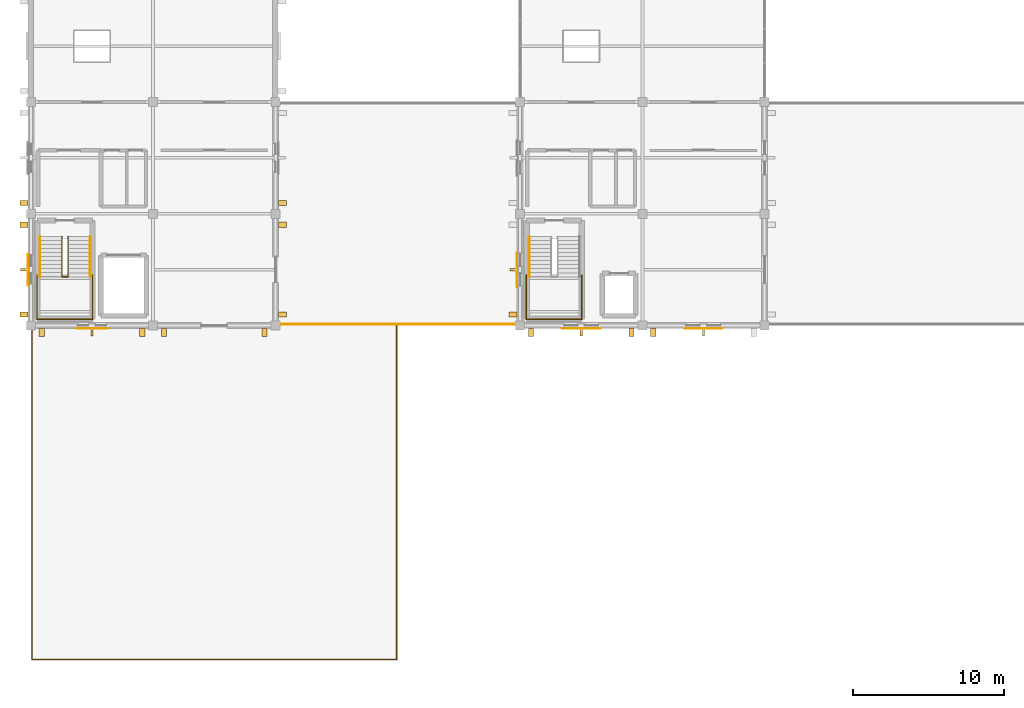
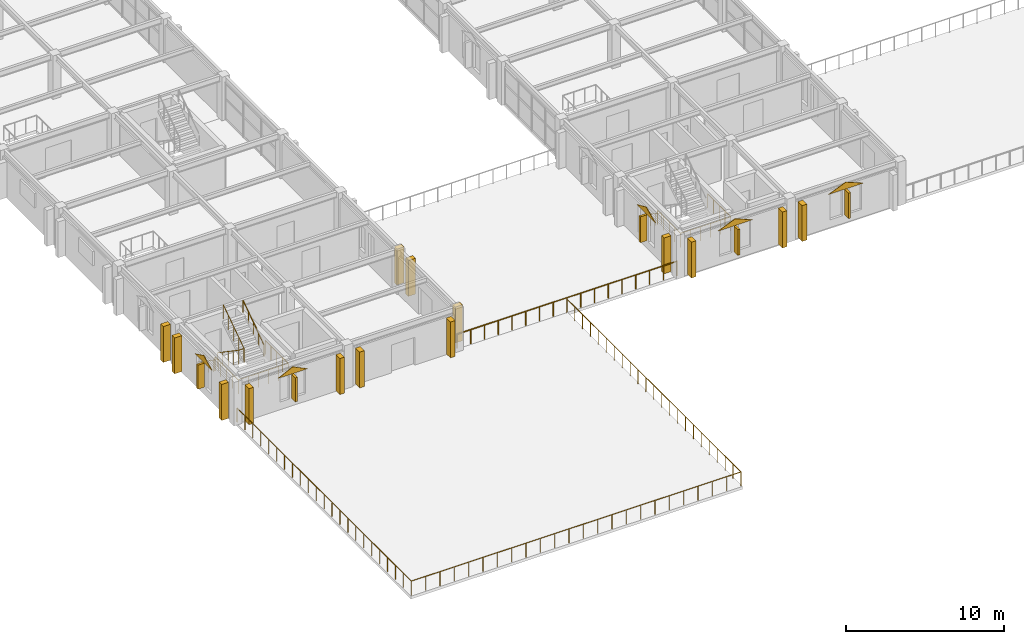
# One storey, part 111 of 121: 19 shading devices, 8 railings, 5 coverings.
"""IFC4 building model written with IfcOpenShell, lengths in metres."""

import ifcopenshell
import ifcopenshell.guid

model = None  # the IFC model being written
_history = None  # IfcOwnerHistory: only IFC2X3 demands one
_inside = {}  # id of a spatial element -> (the spatial element, [elements in it])
_under = {}  # id of a project, library or spatial element -> (it, [spatial elements below it])
_declared = {}  # id of a project -> (the project, [libraries it declares])
_typed = {}  # id of a type object -> (the type object, [elements of that type])
_made_of = {}  # id of a material, layer set ... -> (it, [elements and type objects made of it])


def new_model(schema):
    """Start an empty IFC model of exactly this schema.

    Asked for "IFC4X3", IfcOpenShell would pick the latest addendum, in which some entities
    have other attributes; the version numbers below select the first issue.
    IFC2X3 requires an IfcOwnerHistory on every rooted entity: one is made here for all.
    """
    global model, _history
    if schema == "IFC4X3":
        model = ifcopenshell.file(schema_version=(4, 3, 0, 0))
    else:
        model = ifcopenshell.file(schema=schema)
    _inside.clear()
    _under.clear()
    _declared.clear()
    _typed.clear()
    _made_of.clear()
    _history = None
    if model.schema == "IFC2X3":
        org = make("IfcOrganization", Name="unknown")
        user = make(
            "IfcPersonAndOrganization",
            ThePerson=make("IfcPerson", FamilyName="unknown"),
            TheOrganization=org,
        )
        app = make(
            "IfcApplication",
            ApplicationDeveloper=org,
            Version="unknown",
            ApplicationFullName="unknown",
            ApplicationIdentifier="unknown",
        )
        _history = make(
            "IfcOwnerHistory",
            OwningUser=user,
            OwningApplication=app,
            ChangeAction="ADDED",
            CreationDate=0,
        )
    return model


def make(cls, **values):
    """One entity of the class cls with the attributes given. An attribute that is None is left unset."""
    return model.create_entity(
        cls, **{name: value for name, value in values.items() if value is not None}
    )


def rooted(cls, **values):
    """An entity with a GlobalId (a new one), such as an element, a storey or a relation."""
    return make(cls, GlobalId=ifcopenshell.guid.new(), OwnerHistory=_history, **values)


def si_unit(unit_type, name, prefix=None):
    """IfcSIUnit, for example si_unit("LENGTHUNIT", "METRE", prefix="MILLI")."""
    return make("IfcSIUnit", UnitType=unit_type, Prefix=prefix, Name=name)


def assignment(units):
    """IfcUnitAssignment: the units of a project."""
    return None if units is None else make("IfcUnitAssignment", Units=units)


def point(xyz):
    """IfcCartesianPoint."""
    return None if xyz is None else make("IfcCartesianPoint", Coordinates=xyz)


def direction(xyz):
    """IfcDirection."""
    return None if xyz is None else make("IfcDirection", DirectionRatios=xyz)


def frame(location, z_axis=None, x_axis=None):
    """IfcAxis2Placement3D, a coordinate frame: its origin and axes. An axis left out is left unset."""
    return make(
        "IfcAxis2Placement3D",
        Location=point(location),
        Axis=direction(z_axis),
        RefDirection=direction(x_axis),
    )


def frame_2d(location, x_axis=None):
    """IfcAxis2Placement2D, a coordinate frame in the plane: its origin and x axis."""
    return make(
        "IfcAxis2Placement2D", Location=point(location), RefDirection=direction(x_axis)
    )


def origin():
    """The frame at (0, 0, 0) with its axes left unset."""
    return frame((0.0, 0.0, 0.0))


def origin_2d():
    """The frame at (0, 0) in the plane with its x axis left unset."""
    return frame_2d((0.0, 0.0))


def place(relative_to, where):
    """IfcLocalPlacement: puts the frame where relative to a parent placement (None: the world)."""
    return make(
        "IfcLocalPlacement", PlacementRelTo=relative_to, RelativePlacement=where
    )


def context(
    kind, dimensions, precision=None, world=None, true_north=None, identifier=None
):
    """IfcGeometricRepresentationContext, for example the 3D "Model" context."""
    return make(
        "IfcGeometricRepresentationContext",
        ContextIdentifier=identifier,
        ContextType=kind,
        CoordinateSpaceDimension=dimensions,
        Precision=precision,
        WorldCoordinateSystem=world,
        TrueNorth=true_north,
    )


def subcontext(parent, identifier, kind, view, scale=None):
    """IfcGeometricRepresentationSubContext, for example "Body" below "Model"."""
    return make(
        "IfcGeometricRepresentationSubContext",
        ContextIdentifier=identifier,
        ContextType=kind,
        ParentContext=parent,
        TargetScale=scale,
        TargetView=view,
    )


def project(units=None, contexts=None):
    """IfcProject with its units and contexts."""
    return rooted(
        "IfcProject",
        Name="project",
        RepresentationContexts=contexts,
        UnitsInContext=assignment(units),
    )


def spatial(cls, under=None, at=None, **own):
    """A site, building, storey or space (cls), placed at a placement, below another one or the project."""
    s = rooted(cls, ObjectPlacement=at, **own)
    if under is not None:
        _under.setdefault(under.id(), (under, []))[1].append(s)
    return s


def polyline(points):
    """IfcPolyline through the points."""
    return make("IfcPolyline", Points=[point(p) for p in points])


def profile(cls, at=None, kind="AREA", **sizes):
    """A parametric profile (cls). Its sizes go by their IFC names, for example OverallWidth=200.0."""
    return make(cls, ProfileType=kind, Position=at, **sizes)


def rectangle(**sizes):
    """IfcRectangleProfileDef."""
    return profile("IfcRectangleProfileDef", **sizes)


def circle(**sizes):
    """IfcCircleProfileDef."""
    return profile("IfcCircleProfileDef", **sizes)


def outline(outer, holes=None, kind="AREA"):
    """IfcArbitraryClosedProfileDef: a profile drawn as a closed curve; with holes, ...WithVoids."""
    if holes is None:
        return make("IfcArbitraryClosedProfileDef", ProfileType=kind, OuterCurve=outer)
    return make(
        "IfcArbitraryProfileDefWithVoids",
        ProfileType=kind,
        OuterCurve=outer,
        InnerCurves=holes,
    )


def extrude(swept, where, along, depth):
    """IfcExtrudedAreaSolid: the profile swept, set in the frame where, extruded along a direction by depth."""
    return make(
        "IfcExtrudedAreaSolid",
        SweptArea=swept,
        Position=where,
        ExtrudedDirection=direction(along),
        Depth=depth,
    )


def shape(context_of_items, identifier, shape_type, items):
    """IfcShapeRepresentation: the items that make up one representation, for example the "Body"."""
    return make(
        "IfcShapeRepresentation",
        ContextOfItems=context_of_items,
        RepresentationIdentifier=identifier,
        RepresentationType=shape_type,
        Items=items,
    )


def material(Name=None, Category=None):
    """IfcMaterial."""
    return make("IfcMaterial", Name=Name, Category=Category)


def layer(
    of_material, thickness, ventilated=None, Name=None, Category=None, Priority=None
):
    """IfcMaterialLayer: one layer of a wall or slab, of a material (None: an air gap)."""
    return make(
        "IfcMaterialLayer",
        Material=of_material,
        LayerThickness=thickness,
        IsVentilated=ventilated,
        Name=Name,
        Category=Category,
        Priority=Priority,
    )


def layer_set(layers, Name=None):
    """IfcMaterialLayerSet."""
    return make("IfcMaterialLayerSet", MaterialLayers=layers, LayerSetName=Name)


def made_of(thing, what):
    """Note that an element or type object is made of a material, layer set ...; save() writes the relation."""
    if what is not None:
        _made_of.setdefault(what.id(), (what, []))[1].append(thing)
    return thing


def type_object(cls, material=None, **own):
    """A type object (cls), such as IfcWallType, which elements share."""
    return made_of(rooted(cls, **own), material)


def element(
    cls,
    number,
    at=None,
    inside=None,
    cuts=None,
    type_object=None,
    material=None,
    context=None,
    identifier="Body",
    shape_type=None,
    held_by="IfcProductDefinitionShape",
    body=None,
    shapes=None,
    **own,
):
    """One element of the class cls, such as IfcWall. Its Tag is "e" and its number.

    at: its placement. inside: the storey or other place that contains it. cuts: it is an
    opening in that element (IfcRelVoidsElement). A single representation is given by context,
    identifier, shape_type and body (its items); several are given by shapes. held_by: the class
    of the entity that holds the representations. save() writes the other relations.
    """
    e = rooted(cls, Tag="e%d" % number, ObjectPlacement=at, **own)
    if body is not None:
        shapes = [shape(context, identifier, shape_type, body)]
    if shapes is not None:
        e.Representation = make(held_by, Representations=shapes)
    if inside is not None:
        _inside.setdefault(inside.id(), (inside, []))[1].append(e)
    if cuts is not None:
        rooted(
            "IfcRelVoidsElement", RelatingBuildingElement=cuts, RelatedOpeningElement=e
        )
    if type_object is not None:
        _typed.setdefault(type_object.id(), (type_object, []))[1].append(e)
    return made_of(e, material)


def aggregate(whole, parts):
    """IfcRelAggregates: a whole, such as a stair, and the parts it consists of."""
    return rooted("IfcRelAggregates", RelatingObject=whole, RelatedObjects=parts)


def save(model, path):
    """Write the relations noted so far, then the file.

    IfcRelAggregates (storeys below a building ...), IfcRelContainedInSpatialStructure (elements
    in a storey), IfcRelDefinesByType, IfcRelAssociatesMaterial and IfcRelDeclares: one each for
    every whole, place, type object, material and project.
    """
    for whole, parts in _under.values():
        aggregate(whole, parts)
    for where, things in _inside.values():
        rooted(
            "IfcRelContainedInSpatialStructure",
            RelatedElements=things,
            RelatingStructure=where,
        )
    for kind, things in _typed.values():
        rooted("IfcRelDefinesByType", RelatedObjects=things, RelatingType=kind)
    for what, things in _made_of.values():
        rooted("IfcRelAssociatesMaterial", RelatedObjects=things, RelatingMaterial=what)
    for by, libraries in _declared.values():
        rooted("IfcRelDeclares", RelatingContext=by, RelatedDefinitions=libraries)
    model.write(path)


model = new_model("IFC4")

# Units and contexts
model_context = context("Model", 3, precision=1e-05, world=origin(), true_north=direction((0.0, 1.0)))
body_context = subcontext(model_context, "Body", "Model", "MODEL_VIEW")
ifc_project = project(units=[si_unit("LENGTHUNIT", "METRE"), si_unit("AREAUNIT", "SQUARE_METRE"), si_unit("VOLUMEUNIT", "CUBIC_METRE"), si_unit("PLANEANGLEUNIT", "RADIAN"), si_unit("MASSUNIT", "GRAM", prefix="KILO")], contexts=[model_context])

# Site, building, storey
site_placement = place(None, origin())
site = spatial("IfcSite", under=ifc_project, at=site_placement, CompositionType="ELEMENT")
building_placement = place(site_placement, origin())
building = spatial("IfcBuilding", under=site, at=building_placement, Name="Cimatlan Art Gallery", CompositionType="ELEMENT")
storey_placement = place(building_placement, frame((0.0, 0.0, 10.199951171875)))
storey = spatial("IfcBuildingStorey", under=building, at=storey_placement, Name="L02", CompositionType="ELEMENT", Elevation=10.199951171875)

# Coverings
ifc_material_1 = material(Name="Queretaro cantera limestone ashlar hood-mould", Category="masonry")
ifc_layer = layer(ifc_material_1, 0.0419921875)
ifc_layer_set = layer_set([ifc_layer], Name="Queretaro cantera limestone ashlar hood-mould")
covering_type = type_object("IfcCoveringType", Name="COV-CLAD-CANTERA-42", PredefinedType="CLADDING", material=ifc_layer_set)
covering_1_placement = place(storey_placement, frame((7.1298828125, 23.721923828125, 2.489990234375), z_axis=(0.0, 1.0, 0.0), x_axis=(-1.0, 0.0, 0.0)))
element("IfcCovering", 1, at=covering_1_placement, inside=storey, type_object=covering_type, Name="CLD-038", PredefinedType="CLADDING", context=body_context, shape_type="SweptSolid", body=[
    extrude(outline(polyline([(0.0, 0.0), (2.159912109375, 0.0), (1.079833984375, 0.52001953125), (0.0, 0.0)])), origin(), (0.0, 0.0, -1.0), 0.0419921875),
])
covering_2_placement = place(storey_placement, frame((1.822021484375, 26.52001953125, 2.489990234375), z_axis=(1.0, 0.0, 0.0), x_axis=(0.0, 1.0, 0.0)))
element("IfcCovering", 2, at=covering_2_placement, inside=storey, type_object=covering_type, Name="CLD-039", PredefinedType="CLADDING", context=body_context, shape_type="SweptSolid", body=[
    extrude(outline(polyline([(0.0, 0.0), (2.159912109375, 0.0), (1.080078125, 0.52001953125), (0.0, 0.0)])), origin(), (0.0, 0.0, -1.0), 0.0419921875),
])
covering_3_placement = place(storey_placement, frame((39.72998046875, 23.721923828125, 2.610107421875), z_axis=(0.0, 1.0, 0.0), x_axis=(-1.0, 0.0, 0.0)))
element("IfcCovering", 3, at=covering_3_placement, inside=storey, type_object=covering_type, Name="CLD-046", PredefinedType="CLADDING", context=body_context, shape_type="SweptSolid", body=[
    extrude(outline(polyline([(0.0, 0.0), (2.56005859375, 0.0), (1.280029296875, 0.52001953125), (0.0, 0.0)])), origin(), (0.0, 0.0, -1.0), 0.0419921875),
])
covering_4_placement = place(storey_placement, frame((34.221923828125, 26.39990234375, 2.630126953125), z_axis=(1.0, 0.0, 0.0), x_axis=(0.0, 1.0, 0.0)))
element("IfcCovering", 4, at=covering_4_placement, inside=storey, type_object=covering_type, Name="CLD-047", PredefinedType="CLADDING", context=body_context, shape_type="SweptSolid", body=[
    extrude(outline(polyline([(0.0, 0.0), (2.400146484375, 0.0), (1.2001953125, 0.52001953125), (0.0, 0.0)])), origin(), (0.0, 0.0, -1.0), 0.0419921875),
])
covering_5_placement = place(storey_placement, frame((47.830078125, 23.721923828125, 2.610107421875), z_axis=(0.0, 1.0, 0.0), x_axis=(-1.0, 0.0, 0.0)))
element("IfcCovering", 5, at=covering_5_placement, inside=storey, type_object=covering_type, Name="CLD-052", PredefinedType="CLADDING", context=body_context, shape_type="SweptSolid", body=[
    extrude(outline(polyline([(0.0, 0.0), (2.56005859375, 0.0), (1.280029296875, 0.52001953125), (0.0, 0.0)])), origin(), (0.0, 0.0, -1.0), 0.0419921875),
])

# Railings
ifc_material_2 = material(Name="Anodised bronze and laminated glass balustrade", Category="glass")
railing_type_1 = type_object("IfcRailingType", Name="RL-BAL-EXT-1100", PredefinedType="BALUSTRADE", material=ifc_material_2)
railing_1_placement = place(storey_placement, frame((18.239990234375, 23.97998046875, 0.0)))
element("IfcRailing", 6, at=railing_1_placement, inside=storey, type_object=railing_type_1, Name="GR-TER-06", PredefinedType="BALUSTRADE", context=body_context, shape_type="SweptSolid", body=[
    extrude(circle(Radius=0.02587890625, at=origin_2d()), frame((0.0, 0.0, 1.09423828125), z_axis=(1.0, 0.0, 0.0), x_axis=(0.0, 1.0, 0.0)), (0.0, 0.0, 1.0), 16.1201171875),
    extrude(circle(Radius=0.02099609375, at=origin_2d()), origin(), (0.0, 0.0, 1.0), 1.068115234375),
    extrude(circle(Radius=0.02099609375, at=origin_2d()), frame((1.007568359375, 0.0, 0.0)), (0.0, 0.0, 1.0), 1.068115234375),
    extrude(circle(Radius=0.02099609375, at=origin_2d()), frame((2.01513671875, 0.0, 0.0)), (0.0, 0.0, 1.0), 1.068115234375),
    extrude(circle(Radius=0.02099609375, at=origin_2d()), frame((3.0224609375, 0.0, 0.0)), (0.0, 0.0, 1.0), 1.068115234375),
    extrude(circle(Radius=0.02099609375, at=origin_2d()), frame((4.030029296875, 0.0, 0.0)), (0.0, 0.0, 1.0), 1.068115234375),
    extrude(circle(Radius=0.02099609375, at=origin_2d()), frame((5.03759765625, 0.0, 0.0)), (0.0, 0.0, 1.0), 1.068115234375),
    extrude(circle(Radius=0.02099609375, at=origin_2d()), frame((6.044921875, 0.0, 0.0)), (0.0, 0.0, 1.0), 1.068115234375),
    extrude(circle(Radius=0.02099609375, at=origin_2d()), frame((7.052490234375, 0.0, 0.0)), (0.0, 0.0, 1.0), 1.068115234375),
    extrude(circle(Radius=0.02099609375, at=origin_2d()), frame((8.06005859375, 0.0, 0.0)), (0.0, 0.0, 1.0), 1.068115234375),
    extrude(circle(Radius=0.02099609375, at=origin_2d()), frame((9.067626953125, 0.0, 0.0)), (0.0, 0.0, 1.0), 1.068115234375),
    extrude(circle(Radius=0.02099609375, at=origin_2d()), frame((10.0751953125, 0.0, 0.0)), (0.0, 0.0, 1.0), 1.068115234375),
    extrude(circle(Radius=0.02099609375, at=origin_2d()), frame((11.08251953125, 0.0, 0.0)), (0.0, 0.0, 1.0), 1.068115234375),
    extrude(circle(Radius=0.02099609375, at=origin_2d()), frame((12.090087890625, 0.0, 0.0)), (0.0, 0.0, 1.0), 1.068115234375),
    extrude(circle(Radius=0.02099609375, at=origin_2d()), frame((13.09765625, 0.0, 0.0)), (0.0, 0.0, 1.0), 1.068115234375),
    extrude(circle(Radius=0.02099609375, at=origin_2d()), frame((14.10498046875, 0.0, 0.0)), (0.0, 0.0, 1.0), 1.068115234375),
    extrude(circle(Radius=0.02099609375, at=origin_2d()), frame((15.112548828125, 0.0, 0.0)), (0.0, 0.0, 1.0), 1.068115234375),
    extrude(circle(Radius=0.02099609375, at=origin_2d()), frame((16.1201171875, 0.0, 0.0)), (0.0, 0.0, 1.0), 1.068115234375),
])
railing_2_placement = place(storey_placement, frame((2.080078125, 23.8798828125, 0.0)))
element("IfcRailing", 7, at=railing_2_placement, inside=storey, type_object=railing_type_1, Name="GR-TER-14", PredefinedType="BALUSTRADE", context=body_context, shape_type="SweptSolid", body=[
    extrude(circle(Radius=0.02587890625, at=origin_2d()), frame((0.0, 0.0, 1.09423828125), z_axis=(0.0, -1.0, 0.0), x_axis=(1.0, 0.0, 0.0)), (0.0, 0.0, 1.0), 22.099853515625),
    extrude(circle(Radius=0.02587890625, at=origin_2d()), frame((0.0, -22.099853515625, 1.09423828125), z_axis=(1.0, 0.0, 0.0), x_axis=(0.0, 1.0, 0.0)), (0.0, 0.0, 1.0), 24.139892578125),
    extrude(circle(Radius=0.02587890625, at=origin_2d()), frame((24.139892578125, -22.099853515625, 1.09423828125), z_axis=(0.0, 1.0, 0.0), x_axis=(-1.0, 0.0, 0.0)), (0.0, 0.0, 1.0), 22.099853515625),
    extrude(circle(Radius=0.02099609375, at=origin_2d()), origin(), (0.0, 0.0, 1.0), 1.068115234375),
    extrude(circle(Radius=0.02099609375, at=origin_2d()), frame((0.0, -1.004638671875, 0.0)), (0.0, 0.0, 1.0), 1.068115234375),
    extrude(circle(Radius=0.02099609375, at=origin_2d()), frame((0.0, -2.009033203125, 0.0)), (0.0, 0.0, 1.0), 1.068115234375),
    extrude(circle(Radius=0.02099609375, at=origin_2d()), frame((0.0, -3.013671875, 0.0)), (0.0, 0.0, 1.0), 1.068115234375),
    extrude(circle(Radius=0.02099609375, at=origin_2d()), frame((0.0, -4.01806640625, 0.0)), (0.0, 0.0, 1.0), 1.068115234375),
    extrude(circle(Radius=0.02099609375, at=origin_2d()), frame((0.0, -5.022705078125, 0.0)), (0.0, 0.0, 1.0), 1.068115234375),
    extrude(circle(Radius=0.02099609375, at=origin_2d()), frame((0.0, -6.02734375, 0.0)), (0.0, 0.0, 1.0), 1.068115234375),
    extrude(circle(Radius=0.02099609375, at=origin_2d()), frame((0.0, -7.03173828125, 0.0)), (0.0, 0.0, 1.0), 1.068115234375),
    extrude(circle(Radius=0.02099609375, at=origin_2d()), frame((0.0, -8.036376953125, 0.0)), (0.0, 0.0, 1.0), 1.068115234375),
    extrude(circle(Radius=0.02099609375, at=origin_2d()), frame((0.0, -9.040771484375, 0.0)), (0.0, 0.0, 1.0), 1.068115234375),
    extrude(circle(Radius=0.02099609375, at=origin_2d()), frame((0.0, -10.04541015625, 0.0)), (0.0, 0.0, 1.0), 1.068115234375),
    extrude(circle(Radius=0.02099609375, at=origin_2d()), frame((0.0, -11.0498046875, 0.0)), (0.0, 0.0, 1.0), 1.068115234375),
    extrude(circle(Radius=0.02099609375, at=origin_2d()), frame((0.0, -12.054443359375, 0.0)), (0.0, 0.0, 1.0), 1.068115234375),
    extrude(circle(Radius=0.02099609375, at=origin_2d()), frame((0.0, -13.05908203125, 0.0)), (0.0, 0.0, 1.0), 1.068115234375),
    extrude(circle(Radius=0.02099609375, at=origin_2d()), frame((0.0, -14.0634765625, 0.0)), (0.0, 0.0, 1.0), 1.068115234375),
    extrude(circle(Radius=0.02099609375, at=origin_2d()), frame((0.0, -15.068115234375, 0.0)), (0.0, 0.0, 1.0), 1.068115234375),
    extrude(circle(Radius=0.02099609375, at=origin_2d()), frame((0.0, -16.072509765625, 0.0)), (0.0, 0.0, 1.0), 1.068115234375),
    extrude(circle(Radius=0.02099609375, at=origin_2d()), frame((0.0, -17.0771484375, 0.0)), (0.0, 0.0, 1.0), 1.068115234375),
    extrude(circle(Radius=0.02099609375, at=origin_2d()), frame((0.0, -18.081787109375, 0.0)), (0.0, 0.0, 1.0), 1.068115234375),
    extrude(circle(Radius=0.02099609375, at=origin_2d()), frame((0.0, -19.086181640625, 0.0)), (0.0, 0.0, 1.0), 1.068115234375),
    extrude(circle(Radius=0.02099609375, at=origin_2d()), frame((0.0, -20.0908203125, 0.0)), (0.0, 0.0, 1.0), 1.068115234375),
    extrude(circle(Radius=0.02099609375, at=origin_2d()), frame((0.0, -21.09521484375, 0.0)), (0.0, 0.0, 1.0), 1.068115234375),
    extrude(circle(Radius=0.02099609375, at=origin_2d()), frame((0.0, -22.099853515625, 0.0)), (0.0, 0.0, 1.0), 1.068115234375),
    extrude(circle(Radius=0.02099609375, at=origin_2d()), frame((1.049560546875, -22.099853515625, 0.0)), (0.0, 0.0, 1.0), 1.068115234375),
    extrude(circle(Radius=0.02099609375, at=origin_2d()), frame((2.09912109375, -22.099853515625, 0.0)), (0.0, 0.0, 1.0), 1.068115234375),
    extrude(circle(Radius=0.02099609375, at=origin_2d()), frame((3.148681640625, -22.099853515625, 0.0)), (0.0, 0.0, 1.0), 1.068115234375),
    extrude(circle(Radius=0.02099609375, at=origin_2d()), frame((4.1982421875, -22.099853515625, 0.0)), (0.0, 0.0, 1.0), 1.068115234375),
    extrude(circle(Radius=0.02099609375, at=origin_2d()), frame((5.247802734375, -22.099853515625, 0.0)), (0.0, 0.0, 1.0), 1.068115234375),
    extrude(circle(Radius=0.02099609375, at=origin_2d()), frame((6.29736328125, -22.099853515625, 0.0)), (0.0, 0.0, 1.0), 1.068115234375),
    extrude(circle(Radius=0.02099609375, at=origin_2d()), frame((7.346923828125, -22.099853515625, 0.0)), (0.0, 0.0, 1.0), 1.068115234375),
    extrude(circle(Radius=0.02099609375, at=origin_2d()), frame((8.396484375, -22.099853515625, 0.0)), (0.0, 0.0, 1.0), 1.068115234375),
    extrude(circle(Radius=0.02099609375, at=origin_2d()), frame((9.446044921875, -22.099853515625, 0.0)), (0.0, 0.0, 1.0), 1.068115234375),
    extrude(circle(Radius=0.02099609375, at=origin_2d()), frame((10.49560546875, -22.099853515625, 0.0)), (0.0, 0.0, 1.0), 1.068115234375),
    extrude(circle(Radius=0.02099609375, at=origin_2d()), frame((11.545166015625, -22.099853515625, 0.0)), (0.0, 0.0, 1.0), 1.068115234375),
    extrude(circle(Radius=0.02099609375, at=origin_2d()), frame((12.5947265625, -22.099853515625, 0.0)), (0.0, 0.0, 1.0), 1.068115234375),
    extrude(circle(Radius=0.02099609375, at=origin_2d()), frame((13.644287109375, -22.099853515625, 0.0)), (0.0, 0.0, 1.0), 1.068115234375),
    extrude(circle(Radius=0.02099609375, at=origin_2d()), frame((14.69384765625, -22.099853515625, 0.0)), (0.0, 0.0, 1.0), 1.068115234375),
    extrude(circle(Radius=0.02099609375, at=origin_2d()), frame((15.743408203125, -22.099853515625, 0.0)), (0.0, 0.0, 1.0), 1.068115234375),
    extrude(circle(Radius=0.02099609375, at=origin_2d()), frame((16.79296875, -22.099853515625, 0.0)), (0.0, 0.0, 1.0), 1.068115234375),
    extrude(circle(Radius=0.02099609375, at=origin_2d()), frame((17.842529296875, -22.099853515625, 0.0)), (0.0, 0.0, 1.0), 1.068115234375),
    extrude(circle(Radius=0.02099609375, at=origin_2d()), frame((18.89208984375, -22.099853515625, 0.0)), (0.0, 0.0, 1.0), 1.068115234375),
    extrude(circle(Radius=0.02099609375, at=origin_2d()), frame((19.941650390625, -22.099853515625, 0.0)), (0.0, 0.0, 1.0), 1.068115234375),
    extrude(circle(Radius=0.02099609375, at=origin_2d()), frame((20.9912109375, -22.099853515625, 0.0)), (0.0, 0.0, 1.0), 1.068115234375),
    extrude(circle(Radius=0.02099609375, at=origin_2d()), frame((22.040771484375, -22.099853515625, 0.0)), (0.0, 0.0, 1.0), 1.068115234375),
    extrude(circle(Radius=0.02099609375, at=origin_2d()), frame((23.09033203125, -22.099853515625, 0.0)), (0.0, 0.0, 1.0), 1.068115234375),
    extrude(circle(Radius=0.02099609375, at=origin_2d()), frame((24.139892578125, -22.099853515625, 0.0)), (0.0, 0.0, 1.0), 1.068115234375),
    extrude(circle(Radius=0.02099609375, at=origin_2d()), frame((24.139892578125, -21.09521484375, 0.0)), (0.0, 0.0, 1.0), 1.068115234375),
    extrude(circle(Radius=0.02099609375, at=origin_2d()), frame((24.139892578125, -20.0908203125, 0.0)), (0.0, 0.0, 1.0), 1.068115234375),
    extrude(circle(Radius=0.02099609375, at=origin_2d()), frame((24.139892578125, -19.086181640625, 0.0)), (0.0, 0.0, 1.0), 1.068115234375),
    extrude(circle(Radius=0.02099609375, at=origin_2d()), frame((24.139892578125, -18.081787109375, 0.0)), (0.0, 0.0, 1.0), 1.068115234375),
    extrude(circle(Radius=0.02099609375, at=origin_2d()), frame((24.139892578125, -17.0771484375, 0.0)), (0.0, 0.0, 1.0), 1.068115234375),
    extrude(circle(Radius=0.02099609375, at=origin_2d()), frame((24.139892578125, -16.072509765625, 0.0)), (0.0, 0.0, 1.0), 1.068115234375),
    extrude(circle(Radius=0.02099609375, at=origin_2d()), frame((24.139892578125, -15.068115234375, 0.0)), (0.0, 0.0, 1.0), 1.068115234375),
    extrude(circle(Radius=0.02099609375, at=origin_2d()), frame((24.139892578125, -14.0634765625, 0.0)), (0.0, 0.0, 1.0), 1.068115234375),
    extrude(circle(Radius=0.02099609375, at=origin_2d()), frame((24.139892578125, -13.05908203125, 0.0)), (0.0, 0.0, 1.0), 1.068115234375),
    extrude(circle(Radius=0.02099609375, at=origin_2d()), frame((24.139892578125, -12.054443359375, 0.0)), (0.0, 0.0, 1.0), 1.068115234375),
    extrude(circle(Radius=0.02099609375, at=origin_2d()), frame((24.139892578125, -11.0498046875, 0.0)), (0.0, 0.0, 1.0), 1.068115234375),
    extrude(circle(Radius=0.02099609375, at=origin_2d()), frame((24.139892578125, -10.04541015625, 0.0)), (0.0, 0.0, 1.0), 1.068115234375),
    extrude(circle(Radius=0.02099609375, at=origin_2d()), frame((24.139892578125, -9.040771484375, 0.0)), (0.0, 0.0, 1.0), 1.068115234375),
    extrude(circle(Radius=0.02099609375, at=origin_2d()), frame((24.139892578125, -8.036376953125, 0.0)), (0.0, 0.0, 1.0), 1.068115234375),
    extrude(circle(Radius=0.02099609375, at=origin_2d()), frame((24.139892578125, -7.03173828125, 0.0)), (0.0, 0.0, 1.0), 1.068115234375),
    extrude(circle(Radius=0.02099609375, at=origin_2d()), frame((24.139892578125, -6.02734375, 0.0)), (0.0, 0.0, 1.0), 1.068115234375),
    extrude(circle(Radius=0.02099609375, at=origin_2d()), frame((24.139892578125, -5.022705078125, 0.0)), (0.0, 0.0, 1.0), 1.068115234375),
    extrude(circle(Radius=0.02099609375, at=origin_2d()), frame((24.139892578125, -4.01806640625, 0.0)), (0.0, 0.0, 1.0), 1.068115234375),
    extrude(circle(Radius=0.02099609375, at=origin_2d()), frame((24.139892578125, -3.013671875, 0.0)), (0.0, 0.0, 1.0), 1.068115234375),
    extrude(circle(Radius=0.02099609375, at=origin_2d()), frame((24.139892578125, -2.009033203125, 0.0)), (0.0, 0.0, 1.0), 1.068115234375),
    extrude(circle(Radius=0.02099609375, at=origin_2d()), frame((24.139892578125, -1.004638671875, 0.0)), (0.0, 0.0, 1.0), 1.068115234375),
    extrude(circle(Radius=0.02099609375, at=origin_2d()), frame((24.139892578125, 0.0, 0.0)), (0.0, 0.0, 1.0), 1.068115234375),
])
ifc_material_3 = material(Name="Painted steel and bronze interior balustrade", Category="steel")
railing_type_2 = type_object("IfcRailingType", Name="RL-BAL-INT-1120", PredefinedType="BALUSTRADE", material=ifc_material_3)
railing_3_placement = place(storey_placement, frame((2.409912109375, 27.239990234375, 1.800048828125)))
element("IfcRailing", 8, at=railing_3_placement, inside=storey, type_object=railing_type_2, Name="STR-C1-L02-LGRD", PredefinedType="BALUSTRADE", context=body_context, shape_type="SweptSolid", body=[
    extrude(circle(Radius=0.02392578125, at=origin_2d()), frame((0.0, 0.0, 1.09619140625), z_axis=(0.0, -1.0, 0.0), x_axis=(1.0, 0.0, 0.0)), (0.0, 0.0, 1.0), 2.929931640625),
    extrude(circle(Radius=0.02392578125, at=origin_2d()), frame((0.0, -2.929931640625, 1.09619140625), z_axis=(1.0, 0.0, 0.0), x_axis=(0.0, 1.0, 0.0)), (0.0, 0.0, 1.0), 3.670166015625),
    extrude(circle(Radius=0.02392578125, at=origin_2d()), frame((3.670166015625, -2.929931640625, 1.09619140625), z_axis=(0.0, 1.0, 0.0), x_axis=(-1.0, 0.0, 0.0)), (0.0, 0.0, 1.0), 2.929931640625),
    extrude(circle(Radius=0.02001953125, at=origin_2d()), origin(), (0.0, 0.0, 1.0), 1.072021484375),
    extrude(circle(Radius=0.02001953125, at=origin_2d()), frame((0.0, -0.732421875, 0.0)), (0.0, 0.0, 1.0), 1.072021484375),
    extrude(circle(Radius=0.02001953125, at=origin_2d()), frame((0.0, -1.46484375, 0.0)), (0.0, 0.0, 1.0), 1.072021484375),
    extrude(circle(Radius=0.02001953125, at=origin_2d()), frame((0.0, -2.197509765625, 0.0)), (0.0, 0.0, 1.0), 1.072021484375),
    extrude(circle(Radius=0.02001953125, at=origin_2d()), frame((0.0, -2.929931640625, 0.0)), (0.0, 0.0, 1.0), 1.072021484375),
    extrude(circle(Radius=0.02001953125, at=origin_2d()), frame((0.734130859375, -2.929931640625, 0.0)), (0.0, 0.0, 1.0), 1.072021484375),
    extrude(circle(Radius=0.02001953125, at=origin_2d()), frame((1.468017578125, -2.929931640625, 0.0)), (0.0, 0.0, 1.0), 1.072021484375),
    extrude(circle(Radius=0.02001953125, at=origin_2d()), frame((2.2021484375, -2.929931640625, 0.0)), (0.0, 0.0, 1.0), 1.072021484375),
    extrude(circle(Radius=0.02001953125, at=origin_2d()), frame((2.93603515625, -2.929931640625, 0.0)), (0.0, 0.0, 1.0), 1.072021484375),
    extrude(circle(Radius=0.02001953125, at=origin_2d()), frame((3.670166015625, -2.929931640625, 0.0)), (0.0, 0.0, 1.0), 1.072021484375),
    extrude(circle(Radius=0.02001953125, at=origin_2d()), frame((3.670166015625, -2.197509765625, 0.0)), (0.0, 0.0, 1.0), 1.072021484375),
    extrude(circle(Radius=0.02001953125, at=origin_2d()), frame((3.670166015625, -1.46484375, 0.0)), (0.0, 0.0, 1.0), 1.072021484375),
    extrude(circle(Radius=0.02001953125, at=origin_2d()), frame((3.670166015625, -0.732421875, 0.0)), (0.0, 0.0, 1.0), 1.072021484375),
    extrude(circle(Radius=0.02001953125, at=origin_2d()), frame((3.670166015625, 0.0, 0.0)), (0.0, 0.0, 1.0), 1.072021484375),
])
railing_4_placement = place(storey_placement, frame((4.070068359375, 29.780029296875, 0.0)))
element("IfcRailing", 9, at=railing_4_placement, inside=storey, type_object=railing_type_2, Name="STR-C1-L02-GRD", PredefinedType="BALUSTRADE", context=body_context, shape_type="SweptSolid", body=[
    extrude(circle(Radius=0.02392578125, at=origin_2d()), frame((0.0, 0.0, 1.09619140625), z_axis=(0.0, -0.827224042694, 0.561872212509), x_axis=(1.0, 0.0, 0.0)), (0.0, 0.0, 1.0), 3.20361328125),
    extrude(circle(Radius=0.02392578125, at=origin_2d()), frame((0.0, -2.650146484375, 2.89599609375), z_axis=(1.0, 0.0, 0.0), x_axis=(0.0, 1.0, 0.0)), (0.0, 0.0, 1.0), 0.39990234375),
    extrude(circle(Radius=0.02392578125, at=origin_2d()), frame((0.39990234375, -2.650146484375, 2.89599609375), z_axis=(0.0, 0.827224042694, 0.561872212509), x_axis=(-1.0, 0.0, 0.0)), (0.0, 0.0, 1.0), 3.20361328125),
    extrude(circle(Radius=0.02001953125, at=origin_2d()), origin(), (0.0, 0.0, 1.0), 1.072021484375),
    extrude(circle(Radius=0.02001953125, at=origin_2d()), frame((0.0, -0.66259765625, 0.449951171875)), (0.0, 0.0, 1.0), 1.072021484375),
    extrude(circle(Radius=0.02001953125, at=origin_2d()), frame((0.0, -1.3251953125, 0.89990234375)), (0.0, 0.0, 1.0), 1.072021484375),
    extrude(circle(Radius=0.02001953125, at=origin_2d()), frame((0.0, -1.987548828125, 1.35009765625)), (0.0, 0.0, 1.0), 1.072021484375),
    extrude(circle(Radius=0.02001953125, at=origin_2d()), frame((0.0, -2.650146484375, 1.800048828125)), (0.0, 0.0, 1.0), 1.072021484375),
    extrude(circle(Radius=0.02001953125, at=origin_2d()), frame((0.39990234375, -2.650146484375, 1.800048828125)), (0.0, 0.0, 1.0), 1.072021484375),
    extrude(circle(Radius=0.02001953125, at=origin_2d()), frame((0.39990234375, -1.987548828125, 2.25)), (0.0, 0.0, 1.0), 1.072021484375),
    extrude(circle(Radius=0.02001953125, at=origin_2d()), frame((0.39990234375, -1.3251953125, 2.7001953125)), (0.0, 0.0, 1.0), 1.072021484375),
    extrude(circle(Radius=0.02001953125, at=origin_2d()), frame((0.39990234375, -0.66259765625, 3.150146484375)), (0.0, 0.0, 1.0), 1.072021484375),
    extrude(circle(Radius=0.02001953125, at=origin_2d()), frame((0.39990234375, 0.0, 3.60009765625)), (0.0, 0.0, 1.0), 1.072021484375),
])
railing_5_placement = place(storey_placement, frame((34.81005859375, 27.239990234375, 1.800048828125)))
element("IfcRailing", 10, at=railing_5_placement, inside=storey, type_object=railing_type_2, Name="STR-C2-L02-LGRD", PredefinedType="BALUSTRADE", context=body_context, shape_type="SweptSolid", body=[
    extrude(circle(Radius=0.02392578125, at=origin_2d()), frame((0.0, 0.0, 1.09619140625), z_axis=(0.0, -1.0, 0.0), x_axis=(1.0, 0.0, 0.0)), (0.0, 0.0, 1.0), 2.929931640625),
    extrude(circle(Radius=0.02392578125, at=origin_2d()), frame((0.0, -2.929931640625, 1.09619140625), z_axis=(1.0, 0.0, 0.0), x_axis=(0.0, 1.0, 0.0)), (0.0, 0.0, 1.0), 3.669921875),
    extrude(circle(Radius=0.02392578125, at=origin_2d()), frame((3.669921875, -2.929931640625, 1.09619140625), z_axis=(0.0, 1.0, 0.0), x_axis=(-1.0, 0.0, 0.0)), (0.0, 0.0, 1.0), 2.929931640625),
    extrude(circle(Radius=0.02001953125, at=origin_2d()), origin(), (0.0, 0.0, 1.0), 1.072021484375),
    extrude(circle(Radius=0.02001953125, at=origin_2d()), frame((0.0, -0.732421875, 0.0)), (0.0, 0.0, 1.0), 1.072021484375),
    extrude(circle(Radius=0.02001953125, at=origin_2d()), frame((0.0, -1.46484375, 0.0)), (0.0, 0.0, 1.0), 1.072021484375),
    extrude(circle(Radius=0.02001953125, at=origin_2d()), frame((0.0, -2.197509765625, 0.0)), (0.0, 0.0, 1.0), 1.072021484375),
    extrude(circle(Radius=0.02001953125, at=origin_2d()), frame((0.0, -2.929931640625, 0.0)), (0.0, 0.0, 1.0), 1.072021484375),
    extrude(circle(Radius=0.02001953125, at=origin_2d()), frame((0.73388671875, -2.929931640625, 0.0)), (0.0, 0.0, 1.0), 1.072021484375),
    extrude(circle(Radius=0.02001953125, at=origin_2d()), frame((1.468017578125, -2.929931640625, 0.0)), (0.0, 0.0, 1.0), 1.072021484375),
    extrude(circle(Radius=0.02001953125, at=origin_2d()), frame((2.201904296875, -2.929931640625, 0.0)), (0.0, 0.0, 1.0), 1.072021484375),
    extrude(circle(Radius=0.02001953125, at=origin_2d()), frame((2.93603515625, -2.929931640625, 0.0)), (0.0, 0.0, 1.0), 1.072021484375),
    extrude(circle(Radius=0.02001953125, at=origin_2d()), frame((3.669921875, -2.929931640625, 0.0)), (0.0, 0.0, 1.0), 1.072021484375),
    extrude(circle(Radius=0.02001953125, at=origin_2d()), frame((3.669921875, -2.197509765625, 0.0)), (0.0, 0.0, 1.0), 1.072021484375),
    extrude(circle(Radius=0.02001953125, at=origin_2d()), frame((3.669921875, -1.46484375, 0.0)), (0.0, 0.0, 1.0), 1.072021484375),
    extrude(circle(Radius=0.02001953125, at=origin_2d()), frame((3.669921875, -0.732421875, 0.0)), (0.0, 0.0, 1.0), 1.072021484375),
    extrude(circle(Radius=0.02001953125, at=origin_2d()), frame((3.669921875, 0.0, 0.0)), (0.0, 0.0, 1.0), 1.072021484375),
])
ifc_material_4 = material(Name="Brushed bronze stair handrail")
railing_type_3 = type_object("IfcRailingType", Name="RL-HND-INT-920", PredefinedType="HANDRAIL", material=ifc_material_4)
railing_6_placement = place(storey_placement, frame((2.610107421875, 29.780029296875, 0.0)))
element("IfcRailing", 11, at=railing_6_placement, inside=storey, type_object=railing_type_3, Name="STR-C1-L02-HR1", PredefinedType="HANDRAIL", context=body_context, shape_type="SweptSolid", body=[
    extrude(circle(Radius=0.02197265625, at=origin_2d()), frame((0.0, 0.0, 0.89794921875), z_axis=(0.0, -0.827224042694, 0.561872212509), x_axis=(1.0, 0.0, 0.0)), (0.0, 0.0, 1.0), 3.20361328125),
    extrude(circle(Radius=0.01904296875, at=origin_2d()), origin(), (0.0, 0.0, 1.0), 0.8759765625),
    extrude(circle(Radius=0.01904296875, at=origin_2d()), frame((0.0, -0.66259765625, 0.449951171875)), (0.0, 0.0, 1.0), 0.8759765625),
    extrude(circle(Radius=0.01904296875, at=origin_2d()), frame((0.0, -1.3251953125, 0.89990234375)), (0.0, 0.0, 1.0), 0.8759765625),
    extrude(circle(Radius=0.01904296875, at=origin_2d()), frame((0.0, -1.987548828125, 1.35009765625)), (0.0, 0.0, 1.0), 0.8759765625),
    extrude(circle(Radius=0.01904296875, at=origin_2d()), frame((0.0, -2.650146484375, 1.800048828125)), (0.0, 0.0, 1.0), 0.8759765625),
])
railing_7_placement = place(storey_placement, frame((5.929931640625, 27.1298828125, 1.800048828125)))
element("IfcRailing", 12, at=railing_7_placement, inside=storey, type_object=railing_type_3, Name="STR-C1-L02-HR2", PredefinedType="HANDRAIL", context=body_context, shape_type="SweptSolid", body=[
    extrude(circle(Radius=0.02197265625, at=origin_2d()), frame((0.0, 0.0, 0.89794921875), z_axis=(0.0, 0.827224042694, 0.561872212509), x_axis=(-1.0, 0.0, 0.0)), (0.0, 0.0, 1.0), 3.20361328125),
    extrude(circle(Radius=0.01904296875, at=origin_2d()), origin(), (0.0, 0.0, 1.0), 0.8759765625),
    extrude(circle(Radius=0.01904296875, at=origin_2d()), frame((0.0, 0.66259765625, 0.449951171875)), (0.0, 0.0, 1.0), 0.8759765625),
    extrude(circle(Radius=0.01904296875, at=origin_2d()), frame((0.0, 1.3251953125, 0.89990234375)), (0.0, 0.0, 1.0), 0.8759765625),
    extrude(circle(Radius=0.01904296875, at=origin_2d()), frame((0.0, 1.987548828125, 1.35009765625)), (0.0, 0.0, 1.0), 0.8759765625),
    extrude(circle(Radius=0.01904296875, at=origin_2d()), frame((0.0, 2.650146484375, 1.800048828125)), (0.0, 0.0, 1.0), 0.8759765625),
])
railing_8_placement = place(storey_placement, frame((35.010009765625, 29.780029296875, 0.0)))
element("IfcRailing", 13, at=railing_8_placement, inside=storey, type_object=railing_type_3, Name="STR-C2-L02-HR1", PredefinedType="HANDRAIL", context=body_context, shape_type="SweptSolid", body=[
    extrude(circle(Radius=0.02197265625, at=origin_2d()), frame((0.0, 0.0, 0.89794921875), z_axis=(0.0, -0.827224042694, 0.561872212509), x_axis=(1.0, 0.0, 0.0)), (0.0, 0.0, 1.0), 3.20361328125),
    extrude(circle(Radius=0.01904296875, at=origin_2d()), origin(), (0.0, 0.0, 1.0), 0.8759765625),
    extrude(circle(Radius=0.01904296875, at=origin_2d()), frame((0.0, -0.66259765625, 0.449951171875)), (0.0, 0.0, 1.0), 0.8759765625),
    extrude(circle(Radius=0.01904296875, at=origin_2d()), frame((0.0, -1.3251953125, 0.89990234375)), (0.0, 0.0, 1.0), 0.8759765625),
    extrude(circle(Radius=0.01904296875, at=origin_2d()), frame((0.0, -1.987548828125, 1.35009765625)), (0.0, 0.0, 1.0), 0.8759765625),
    extrude(circle(Radius=0.01904296875, at=origin_2d()), frame((0.0, -2.650146484375, 1.800048828125)), (0.0, 0.0, 1.0), 0.8759765625),
])

# Shading devices
ifc_material_5 = material(Name="Queretaro cantera limestone buttress pilaster", Category="masonry")
shading_device_type_1 = type_object("IfcShadingDeviceType", Name="SHD-BUT-520", PredefinedType="USERDEFINED", material=ifc_material_5)
for number, where, z_axis, x_axis, name in (
    (14, (9.3759765625, 23.44189453125, 0.06005859375), (0.0, 0.0, 1.0), (-1.0, 0.0, 0.0), "BUT-0215"),
    (15, (2.72412109375, 23.44189453125, 0.06005859375), (0.0, 0.0, 1.0), (-1.0, 0.0, 0.0), "BUT-0216"),
    (16, (1.5419921875, 24.6240234375, 0.06005859375), (0.0, 0.0, 1.0), (0.0, 1.0, 0.0), "BUT-0217"),
    (17, (1.5419921875, 30.575927734375, 0.06005859375), (0.0, 0.0, 1.0), (0.0, 1.0, 0.0), "BUT-0218"),
    (18, (1.5419921875, 32.02392578125, 0.06005859375), (0.0, 0.0, 1.0), (0.0, 1.0, 0.0), "BUT-0219"),
    (19, (17.47607421875, 23.44189453125, 0.06005859375), (0.0, 0.0, 1.0), (-1.0, 0.0, 0.0), "BUT-0235"),
    (20, (10.823974609375, 23.44189453125, 0.06005859375), (0.0, 0.0, 1.0), (-1.0, 0.0, 0.0), "BUT-0236"),
    (21, (18.657958984375, 30.575927734375, 0.06005859375), (0.0, 0.0, 1.0), (0.0, -1.0, 0.0), "BUT-0237"),
    (22, (18.657958984375, 24.6240234375, 0.06005859375), (0.0, 0.0, 1.0), (0.0, -1.0, 0.0), "BUT-0238"),
    (23, (18.657958984375, 32.02392578125, 0.06005859375), (0.0, 0.0, 1.0), (0.0, -1.0, 0.0), "BUT-0240"),
    (24, (41.77587890625, 23.44189453125, 0.06005859375), (0.0, 0.0, 1.0), (-1.0, 0.0, 0.0), "BUT-0249"),
    (25, (35.1240234375, 23.44189453125, 0.06005859375), (0.0, 0.0, 1.0), (-1.0, 0.0, 0.0), "BUT-0250"),
    (26, (33.94189453125, 24.6240234375, 0.06005859375), (0.0, 0.0, 1.0), (0.0, 1.0, 0.0), "BUT-0251"),
    (27, (43.22412109375, 23.44189453125, 0.06005859375), (0.0, 0.0, 1.0), (-1.0, 0.0, 0.0), "BUT-0264"),
):
    element("IfcShadingDevice", number, at=place(storey_placement, frame(where, z_axis=z_axis, x_axis=x_axis)), inside=storey, type_object=shading_device_type_1, Name=name, ObjectType="FIN", PredefinedType="USERDEFINED", context=body_context, shape_type="SweptSolid", body=[
        extrude(rectangle(XDim=0.340087890625, YDim=0.52001953125, at=origin_2d()), origin(), (0.0, 0.0, 1.0), 2.778076171875),
    ])
ifc_material_6 = material(Name="Queretaro cantera limestone lancet mullion fin", Category="masonry")
shading_device_type_2 = type_object("IfcShadingDeviceType", Name="SHD-FIN-480", PredefinedType="USERDEFINED", material=ifc_material_6)
for number, where, z_axis, x_axis, name in (
    (28, (6.050048828125, 23.4619140625, 0.60009765625), (0.0, 0.0, 1.0), (-1.0, 0.0, 0.0), "FIN-060"),
    (29, (1.56201171875, 27.60009765625, 0.60009765625), (0.0, 0.0, 1.0), (0.0, 1.0, 0.0), "FIN-061"),
):
    element("IfcShadingDevice", number, at=place(storey_placement, frame(where, z_axis=z_axis, x_axis=x_axis)), inside=storey, type_object=shading_device_type_2, Name=name, ObjectType="FIN", PredefinedType="USERDEFINED", context=body_context, shape_type="SweptSolid", body=[
        extrude(rectangle(XDim=0.159912109375, YDim=0.47998046875, at=origin_2d()), origin(), (0.0, 0.0, 1.0), 1.860107421875),
    ])
shading_device_1_placement = place(storey_placement, frame((38.449951171875, 23.4619140625, 0.60009765625), z_axis=(0.0, 0.0, 1.0), x_axis=(-1.0, 0.0, 0.0)))
element("IfcShadingDevice", 30, at=shading_device_1_placement, inside=storey, type_object=shading_device_type_2, Name="FIN-068", ObjectType="FIN", PredefinedType="USERDEFINED", context=body_context, shape_type="SweptSolid", body=[
    extrude(rectangle(XDim=0.159912109375, YDim=0.47998046875, at=origin_2d()), origin(), (0.0, 0.0, 1.0), 1.97998046875),
])
shading_device_2_placement = place(storey_placement, frame((33.9619140625, 27.60009765625, 0.60009765625), z_axis=(0.0, 0.0, 1.0), x_axis=(0.0, 1.0, 0.0)))
element("IfcShadingDevice", 31, at=shading_device_2_placement, inside=storey, type_object=shading_device_type_2, Name="FIN-069", ObjectType="FIN", PredefinedType="USERDEFINED", context=body_context, shape_type="SweptSolid", body=[
    extrude(rectangle(XDim=0.159912109375, YDim=0.47998046875, at=origin_2d()), origin(), (0.0, 0.0, 1.0), 2.0),
])
shading_device_3_placement = place(storey_placement, frame((46.550048828125, 23.4619140625, 0.60009765625), z_axis=(0.0, 0.0, 1.0), x_axis=(-1.0, 0.0, 0.0)))
element("IfcShadingDevice", 32, at=shading_device_3_placement, inside=storey, type_object=shading_device_type_2, Name="FIN-075", ObjectType="FIN", PredefinedType="USERDEFINED", context=body_context, shape_type="SweptSolid", body=[
    extrude(rectangle(XDim=0.159912109375, YDim=0.47998046875, at=origin_2d()), origin(), (0.0, 0.0, 1.0), 1.97998046875),
])

save(model, "model.ifc")
